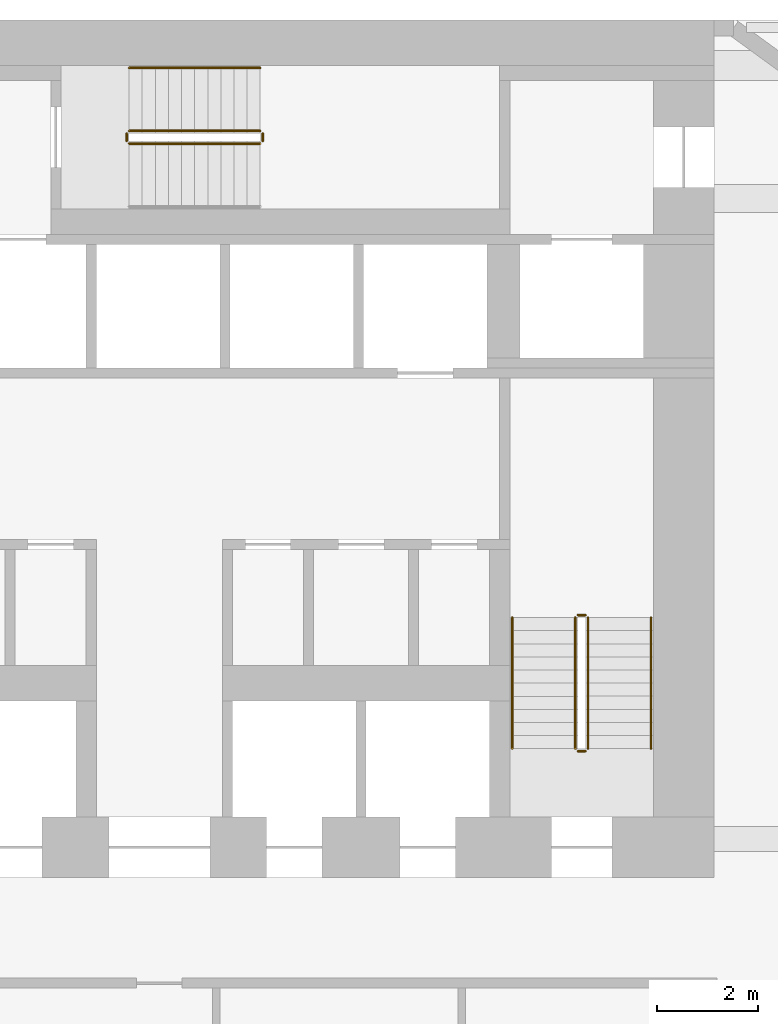
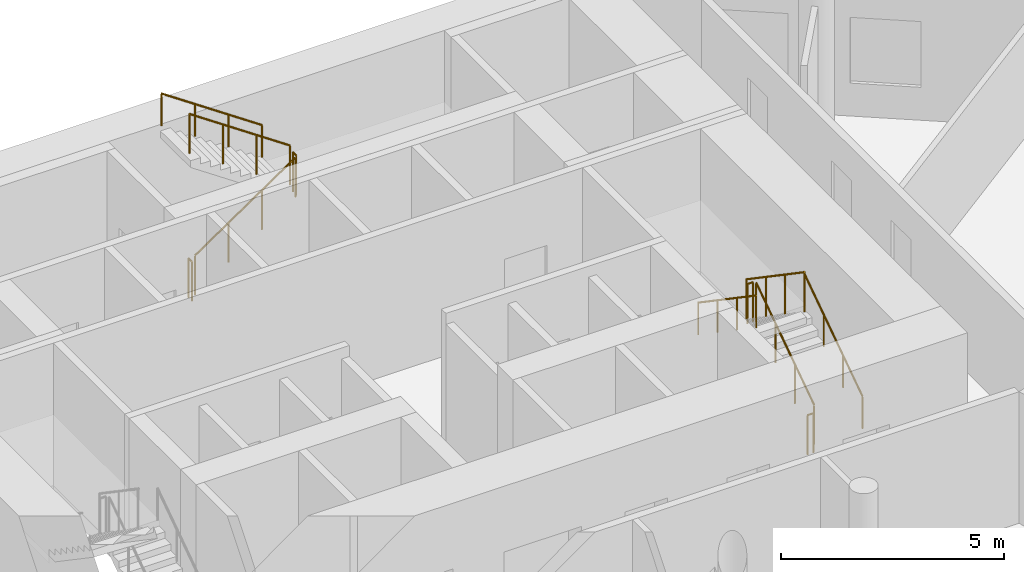
# One storey, part 10 of 10: 11 railings.
"""IFC4 building model written with IfcOpenShell, lengths in metres."""

from ifc_helpers import new_model, si_unit, direction, frame, origin, origin_2d, place, context, subcontext, project, spatial, circle, extrude, material, type_object, element, save


model = new_model("IFC4")

# Units and contexts
model_context = context("Model", 3, precision=1e-05, world=origin(), true_north=direction((0.0, 1.0)))
body_context = subcontext(model_context, "Body", "Model", "MODEL_VIEW")
ifc_project = project(units=[si_unit("LENGTHUNIT", "METRE"), si_unit("AREAUNIT", "SQUARE_METRE"), si_unit("VOLUMEUNIT", "CUBIC_METRE"), si_unit("PLANEANGLEUNIT", "RADIAN"), si_unit("MASSUNIT", "GRAM", prefix="KILO")], contexts=[model_context])

# Site, building, storey
site_placement = place(None, origin())
site = spatial("IfcSite", under=ifc_project, at=site_placement, CompositionType="ELEMENT")
building_placement = place(site_placement, origin())
building = spatial("IfcBuilding", under=site, at=building_placement, Name="White Candle Pilgrim Tower", CompositionType="ELEMENT")
storey_placement = place(building_placement, frame((0.0, 0.0, 39.0)))
storey = spatial("IfcBuildingStorey", under=building, at=storey_placement, Name="L06", CompositionType="ELEMENT", Elevation=39.0)

# Railings
ifc_material = material(Name="Stainless steel", Category="steel")
railing_type_1 = type_object("IfcRailingType", Name="Stair guard stainless steel 1100 mm", PredefinedType="GUARDRAIL", material=ifc_material)
railing_1_placement = place(storey_placement, frame((78.5, 73.550048828125, 0.17724609375)))
element("IfcRailing", 1, at=railing_1_placement, inside=storey, type_object=railing_type_1, Name="L06 ST2 stair guard 1", PredefinedType="GUARDRAIL", context=body_context, shape_type="SweptSolid", body=[
    extrude(circle(Radius=0.02392578125, at=origin_2d()), frame((0.0, 0.0, 1.076171875), z_axis=(0.0, 0.826215852431, 0.563353676824), x_axis=(-1.0, 0.0, 0.0)), (0.0, 0.0, 1.0), 3.146728515625),
    extrude(circle(Radius=0.02099609375, at=origin_2d()), origin(), (0.0, 0.0, 1.0), 1.052001953125),
    extrude(circle(Radius=0.02099609375, at=origin_2d()), frame((0.0, 0.86669921875, 0.5908203125)), (0.0, 0.0, 1.0), 1.052001953125),
    extrude(circle(Radius=0.02099609375, at=origin_2d()), frame((0.0, 1.733154296875, 1.181884765625)), (0.0, 0.0, 1.0), 1.052001953125),
    extrude(circle(Radius=0.02099609375, at=origin_2d()), frame((0.0, 2.599853515625, 1.772705078125)), (0.0, 0.0, 1.0), 1.052001953125),
])
railing_2_placement = place(storey_placement, frame((78.449951171875, 76.199951171875, 1.949951171875)))
element("IfcRailing", 2, at=railing_2_placement, inside=storey, type_object=railing_type_1, Name="L06 ST2 stair guard 2", PredefinedType="GUARDRAIL", context=body_context, shape_type="SweptSolid", body=[
    extrude(circle(Radius=0.02392578125, at=origin_2d()), frame((0.0, 0.0, 1.076171875), z_axis=(-1.0, 0.0, 0.0), x_axis=(0.0, -1.0, 0.0)), (0.0, 0.0, 1.0), 0.14990234375),
    extrude(circle(Radius=0.02099609375, at=origin_2d()), origin(), (0.0, 0.0, 1.0), 1.052001953125),
    extrude(circle(Radius=0.02099609375, at=origin_2d()), frame((-0.14990234375, 0.0, 0.0)), (0.0, 0.0, 1.0), 1.052001953125),
])
railing_3_placement = place(storey_placement, frame((78.25, 76.14990234375, 2.127197265625)))
element("IfcRailing", 3, at=railing_3_placement, inside=storey, type_object=railing_type_1, Name="L06 ST2 stair guard 3", PredefinedType="GUARDRAIL", context=body_context, shape_type="SweptSolid", body=[
    extrude(circle(Radius=0.02392578125, at=origin_2d()), frame((0.0, 0.0, 1.076171875), z_axis=(0.0, -0.826215852431, 0.563353676824), x_axis=(1.0, 0.0, 0.0)), (0.0, 0.0, 1.0), 3.146728515625),
    extrude(circle(Radius=0.02099609375, at=origin_2d()), origin(), (0.0, 0.0, 1.0), 1.052001953125),
    extrude(circle(Radius=0.02099609375, at=origin_2d()), frame((0.0, -0.86669921875, 0.5908203125)), (0.0, 0.0, 1.0), 1.052001953125),
    extrude(circle(Radius=0.02099609375, at=origin_2d()), frame((0.0, -1.733154296875, 1.181884765625)), (0.0, 0.0, 1.0), 1.052001953125),
    extrude(circle(Radius=0.02099609375, at=origin_2d()), frame((0.0, -2.599853515625, 1.772705078125)), (0.0, 0.0, 1.0), 1.052001953125),
])
railing_4_placement = place(storey_placement, frame((78.449951171875, 73.5, 0.0)))
element("IfcRailing", 4, at=railing_4_placement, inside=storey, type_object=railing_type_1, Name="L06 ST2 stair guard 4", PredefinedType="GUARDRAIL", context=body_context, shape_type="SweptSolid", body=[
    extrude(circle(Radius=0.02392578125, at=origin_2d()), frame((0.0, 0.0, 1.076171875), z_axis=(-1.0, 0.0, 0.0), x_axis=(0.0, -1.0, 0.0)), (0.0, 0.0, 1.0), 0.14990234375),
    extrude(circle(Radius=0.02099609375, at=origin_2d()), origin(), (0.0, 0.0, 1.0), 1.052001953125),
    extrude(circle(Radius=0.02099609375, at=origin_2d()), frame((-0.14990234375, 0.0, 0.0)), (0.0, 0.0, 1.0), 1.052001953125),
])
railing_5_placement = place(storey_placement, frame((69.39990234375, 85.550048828125, 0.17724609375)))
element("IfcRailing", 5, at=railing_5_placement, inside=storey, type_object=railing_type_1, Name="L06 ST3 stair guard 1", PredefinedType="GUARDRAIL", context=body_context, shape_type="SweptSolid", body=[
    extrude(circle(Radius=0.02392578125, at=origin_2d()), frame((0.0, 0.0, 1.076171875), z_axis=(0.826240473404, 0.0, 0.563317565952), x_axis=(0.0, 1.0, 0.0)), (0.0, 0.0, 1.0), 3.14697265625),
    extrude(circle(Radius=0.02099609375, at=origin_2d()), origin(), (0.0, 0.0, 1.0), 1.052001953125),
    extrude(circle(Radius=0.02099609375, at=origin_2d()), frame((0.86669921875, 0.0, 0.5908203125)), (0.0, 0.0, 1.0), 1.052001953125),
    extrude(circle(Radius=0.02099609375, at=origin_2d()), frame((1.7333984375, 0.0, 1.181884765625)), (0.0, 0.0, 1.0), 1.052001953125),
    extrude(circle(Radius=0.02099609375, at=origin_2d()), frame((2.60009765625, 0.0, 1.772705078125)), (0.0, 0.0, 1.0), 1.052001953125),
])
railing_6_placement = place(storey_placement, frame((72.050048828125, 85.60009765625, 1.949951171875)))
element("IfcRailing", 6, at=railing_6_placement, inside=storey, type_object=railing_type_1, Name="L06 ST3 stair guard 2", PredefinedType="GUARDRAIL", context=body_context, shape_type="SweptSolid", body=[
    extrude(circle(Radius=0.02392578125, at=origin_2d()), frame((0.0, 0.0, 1.076171875), z_axis=(0.0, 1.0, 0.0), x_axis=(-1.0, 0.0, 0.0)), (0.0, 0.0, 1.0), 0.14990234375),
    extrude(circle(Radius=0.02099609375, at=origin_2d()), origin(), (0.0, 0.0, 1.0), 1.052001953125),
    extrude(circle(Radius=0.02099609375, at=origin_2d()), frame((0.0, 0.14990234375, 0.0)), (0.0, 0.0, 1.0), 1.052001953125),
])
railing_7_placement = place(storey_placement, frame((72.0, 85.800048828125, 2.127197265625)))
element("IfcRailing", 7, at=railing_7_placement, inside=storey, type_object=railing_type_1, Name="L06 ST3 stair guard 3", PredefinedType="GUARDRAIL", context=body_context, shape_type="SweptSolid", body=[
    extrude(circle(Radius=0.02392578125, at=origin_2d()), frame((0.0, 0.0, 1.076171875), z_axis=(-0.826240473404, 0.0, 0.563317565952), x_axis=(0.0, -1.0, 0.0)), (0.0, 0.0, 1.0), 3.14697265625),
    extrude(circle(Radius=0.02099609375, at=origin_2d()), origin(), (0.0, 0.0, 1.0), 1.052001953125),
    extrude(circle(Radius=0.02099609375, at=origin_2d()), frame((-0.86669921875, 0.0, 0.5908203125)), (0.0, 0.0, 1.0), 1.052001953125),
    extrude(circle(Radius=0.02099609375, at=origin_2d()), frame((-1.7333984375, 0.0, 1.181884765625)), (0.0, 0.0, 1.0), 1.052001953125),
    extrude(circle(Radius=0.02099609375, at=origin_2d()), frame((-2.60009765625, 0.0, 1.772705078125)), (0.0, 0.0, 1.0), 1.052001953125),
])
railing_8_placement = place(storey_placement, frame((69.35009765625, 85.60009765625, 0.0)))
element("IfcRailing", 8, at=railing_8_placement, inside=storey, type_object=railing_type_1, Name="L06 ST3 stair guard 4", PredefinedType="GUARDRAIL", context=body_context, shape_type="SweptSolid", body=[
    extrude(circle(Radius=0.02392578125, at=origin_2d()), frame((0.0, 0.0, 1.076171875), z_axis=(0.0, 1.0, 0.0), x_axis=(-1.0, 0.0, 0.0)), (0.0, 0.0, 1.0), 0.14990234375),
    extrude(circle(Radius=0.02099609375, at=origin_2d()), origin(), (0.0, 0.0, 1.0), 1.052001953125),
    extrude(circle(Radius=0.02099609375, at=origin_2d()), frame((0.0, 0.14990234375, 0.0)), (0.0, 0.0, 1.0), 1.052001953125),
])
railing_type_2 = type_object("IfcRailingType", Name="Stair handrail stainless steel", PredefinedType="HANDRAIL", material=ifc_material)
railing_9_placement = place(storey_placement, frame((79.75, 73.550048828125, 0.17724609375)))
element("IfcRailing", 9, at=railing_9_placement, inside=storey, type_object=railing_type_2, Name="L06 ST2 stair handrail 1", PredefinedType="HANDRAIL", context=body_context, shape_type="SweptSolid", body=[
    extrude(circle(Radius=0.02392578125, at=origin_2d()), frame((0.0, 0.0, 0.8759765625), z_axis=(0.0, 0.826215852431, 0.563353676824), x_axis=(-1.0, 0.0, 0.0)), (0.0, 0.0, 1.0), 3.146728515625),
    extrude(circle(Radius=0.02099609375, at=origin_2d()), origin(), (0.0, 0.0, 1.0), 0.851806640625),
    extrude(circle(Radius=0.02099609375, at=origin_2d()), frame((0.0, 0.86669921875, 0.5908203125)), (0.0, 0.0, 1.0), 0.851806640625),
    extrude(circle(Radius=0.02099609375, at=origin_2d()), frame((0.0, 1.733154296875, 1.181884765625)), (0.0, 0.0, 1.0), 0.851806640625),
    extrude(circle(Radius=0.02099609375, at=origin_2d()), frame((0.0, 2.599853515625, 1.772705078125)), (0.0, 0.0, 1.0), 0.851806640625),
])
railing_10_placement = place(storey_placement, frame((77.0, 76.14990234375, 2.127197265625)))
element("IfcRailing", 10, at=railing_10_placement, inside=storey, type_object=railing_type_2, Name="L06 ST2 stair handrail 2", PredefinedType="HANDRAIL", context=body_context, shape_type="SweptSolid", body=[
    extrude(circle(Radius=0.02392578125, at=origin_2d()), frame((0.0, 0.0, 0.8759765625), z_axis=(0.0, -0.826215852431, 0.563353676824), x_axis=(1.0, 0.0, 0.0)), (0.0, 0.0, 1.0), 3.146728515625),
    extrude(circle(Radius=0.02099609375, at=origin_2d()), origin(), (0.0, 0.0, 1.0), 0.851806640625),
    extrude(circle(Radius=0.02099609375, at=origin_2d()), frame((0.0, -0.86669921875, 0.5908203125)), (0.0, 0.0, 1.0), 0.851806640625),
    extrude(circle(Radius=0.02099609375, at=origin_2d()), frame((0.0, -1.733154296875, 1.181884765625)), (0.0, 0.0, 1.0), 0.851806640625),
    extrude(circle(Radius=0.02099609375, at=origin_2d()), frame((0.0, -2.599853515625, 1.772705078125)), (0.0, 0.0, 1.0), 0.851806640625),
])
railing_11_placement = place(storey_placement, frame((72.0, 87.050048828125, 2.127197265625)))
element("IfcRailing", 11, at=railing_11_placement, inside=storey, type_object=railing_type_2, Name="L06 ST3 stair handrail 2", PredefinedType="HANDRAIL", context=body_context, shape_type="SweptSolid", body=[
    extrude(circle(Radius=0.02392578125, at=origin_2d()), frame((0.0, 0.0, 0.8759765625), z_axis=(-0.826240473404, 0.0, 0.563317565952), x_axis=(0.0, -1.0, 0.0)), (0.0, 0.0, 1.0), 3.14697265625),
    extrude(circle(Radius=0.02099609375, at=origin_2d()), origin(), (0.0, 0.0, 1.0), 0.851806640625),
    extrude(circle(Radius=0.02099609375, at=origin_2d()), frame((-0.86669921875, 0.0, 0.5908203125)), (0.0, 0.0, 1.0), 0.851806640625),
    extrude(circle(Radius=0.02099609375, at=origin_2d()), frame((-1.7333984375, 0.0, 1.181884765625)), (0.0, 0.0, 1.0), 0.851806640625),
    extrude(circle(Radius=0.02099609375, at=origin_2d()), frame((-2.60009765625, 0.0, 1.772705078125)), (0.0, 0.0, 1.0), 0.851806640625),
])

save(model, "model.ifc")
